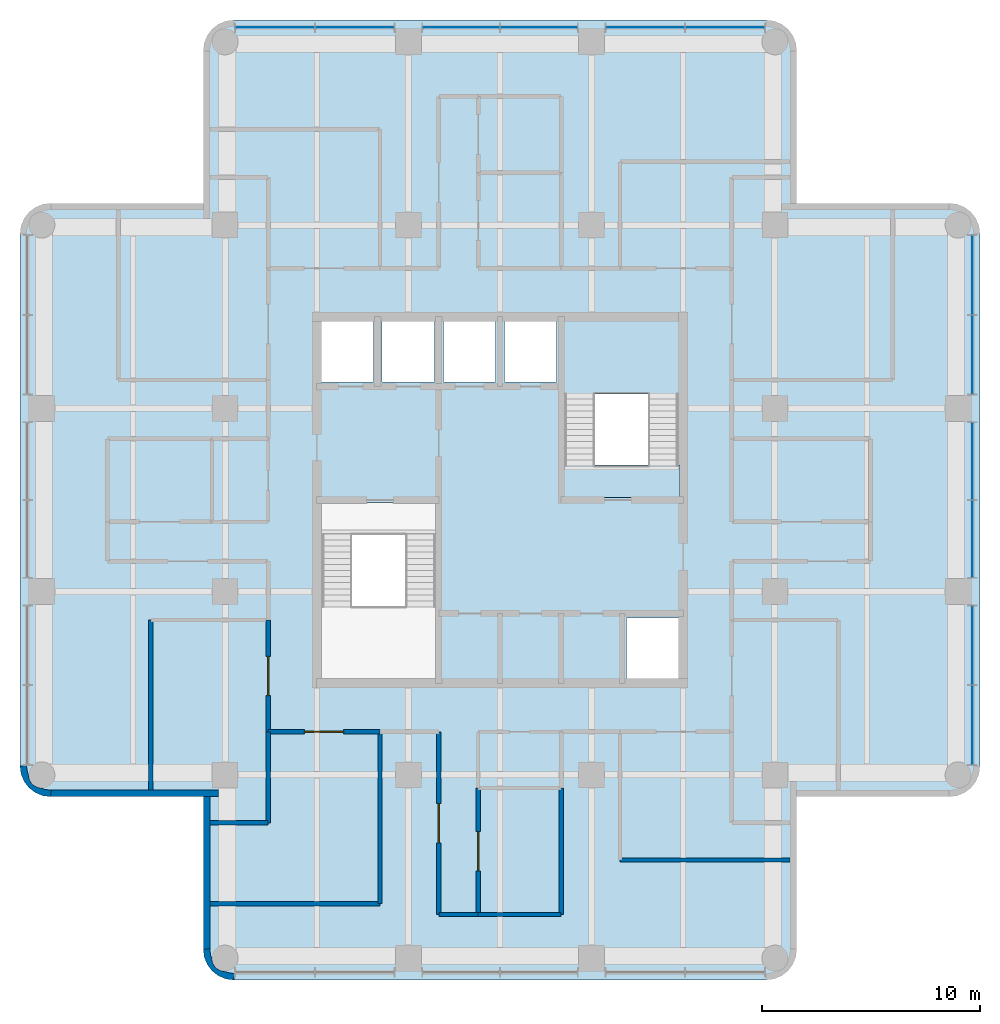
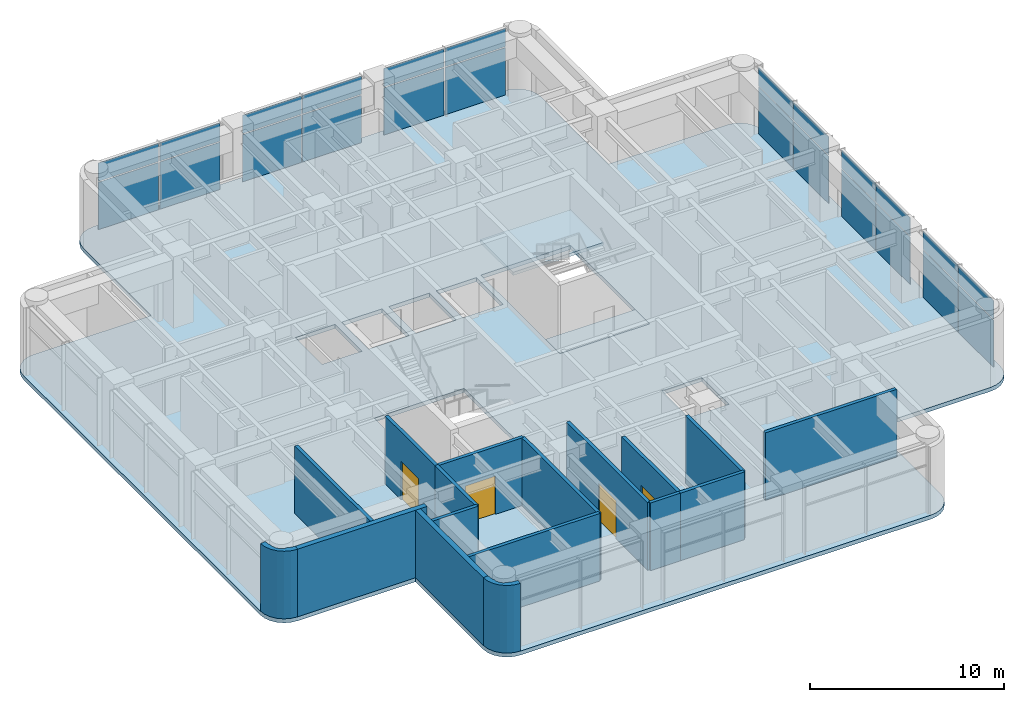
# One storey, part 4 of 8: 24 plates, 17 walls, 4 doors, 3 slabs, 4 openings, 3 elements without a shape of their own.
"""IFC4 building model written with IfcOpenShell, lengths in metres."""

from ifc_helpers import new_model, si_unit, direction, frame, frame_2d, origin, origin_2d, place, context, subcontext, project, spatial, polyline, rectangle, outline, extrude, material, layer, layer_set, type_object, element, fill, aggregate, save


model = new_model("IFC4")

# Units and contexts
model_context = context("Model", 3, precision=1e-05, world=origin(), true_north=direction((0.0, 1.0)))
body_context = subcontext(model_context, "Body", "Model", "MODEL_VIEW")
ifc_project = project(units=[si_unit("LENGTHUNIT", "METRE"), si_unit("AREAUNIT", "SQUARE_METRE"), si_unit("VOLUMEUNIT", "CUBIC_METRE"), si_unit("PLANEANGLEUNIT", "RADIAN"), si_unit("MASSUNIT", "GRAM", prefix="KILO")], contexts=[model_context])

# Site, building, storey
site_placement = place(None, origin())
site = spatial("IfcSite", under=ifc_project, at=site_placement, CompositionType="ELEMENT")
building_placement = place(site_placement, origin())
building = spatial("IfcBuilding", under=site, at=building_placement, Name="Torre Alcanfor", CompositionType="ELEMENT")
storey_placement = place(building_placement, frame((0.0, 0.0, 300.89990234375)))
storey = spatial("IfcBuildingStorey", under=building, at=storey_placement, Name="L79", CompositionType="ELEMENT", Elevation=300.89990234375)

# Curtain wall, plates
ifc_material_1 = material(Name="Aluminium and glass", Category="aluminium")
curtain_wall_type = type_object("IfcCurtainWallType", Name="CW-E crown screen", PredefinedType="NOTDEFINED", material=ifc_material_1)
curtain_wall_1_placement = place(storey_placement, origin())
curtain_wall_1 = element("IfcCurtainWall", 1, at=curtain_wall_1_placement, inside=storey, type_object=curtain_wall_type, Name="Curtain wall CW-E L79 8", PredefinedType="NOTDEFINED")
ifc_material_2 = material(Name="Limestone-colour fritted glass", Category="masonry")
ifc_layer_1 = layer(ifc_material_2, 0.028076171875)
ifc_layer_set_1 = layer_set([ifc_layer_1], Name="CW-E fritted glass panel")
plate_type = type_object("IfcPlateType", Name="CW-E fritted glass panel", PredefinedType="CURTAIN_PANEL", material=ifc_layer_set_1)
plate_1_placement = place(storey_placement, frame((51.050048828125, 19.087890625, 0.0), z_axis=(0.0, 0.0, 1.0), x_axis=(0.0, 1.0, 0.0)))
plate_1 = element("IfcPlate", 2, at=plate_1_placement, type_object=plate_type, Name="CW-E panel 1.1.1", PredefinedType="CURTAIN_PANEL", context=body_context, shape_type="SweptSolid", body=[
    extrude(rectangle(XDim=3.584716796875, YDim=0.028076171875, at=origin_2d()), origin(), (0.0, 0.0, 1.0), 2.967529296875),
])
plate_2_placement = place(storey_placement, frame((51.050048828125, 19.087890625, 3.03271484375), z_axis=(0.0, 0.0, 1.0), x_axis=(0.0, 1.0, 0.0)))
plate_2 = element("IfcPlate", 3, at=plate_2_placement, type_object=plate_type, Name="CW-E panel 1.1.2", PredefinedType="CURTAIN_PANEL", context=body_context, shape_type="SweptSolid", body=[
    extrude(rectangle(XDim=3.584716796875, YDim=0.028076171875, at=origin_2d()), origin(), (0.0, 0.0, 1.0), 1.152587890625),
])
plate_3_placement = place(storey_placement, frame((51.050048828125, 22.737548828125, 0.0), z_axis=(0.0, 0.0, 1.0), x_axis=(0.0, 1.0, 0.0)))
plate_3 = element("IfcPlate", 4, at=plate_3_placement, type_object=plate_type, Name="CW-E panel 1.2.1", PredefinedType="CURTAIN_PANEL", context=body_context, shape_type="SweptSolid", body=[
    extrude(rectangle(XDim=3.584716796875, YDim=0.028076171875, at=origin_2d()), origin(), (0.0, 0.0, 1.0), 2.967529296875),
])
plate_4_placement = place(storey_placement, frame((51.050048828125, 22.737548828125, 3.03271484375), z_axis=(0.0, 0.0, 1.0), x_axis=(0.0, 1.0, 0.0)))
plate_4 = element("IfcPlate", 5, at=plate_4_placement, type_object=plate_type, Name="CW-E panel 1.2.2", PredefinedType="CURTAIN_PANEL", context=body_context, shape_type="SweptSolid", body=[
    extrude(rectangle(XDim=3.584716796875, YDim=0.028076171875, at=origin_2d()), origin(), (0.0, 0.0, 1.0), 1.152587890625),
])
plate_5_placement = place(storey_placement, frame((51.050048828125, 27.61865234375, 0.0), z_axis=(0.0, 0.0, 1.0), x_axis=(0.0, 1.0, 0.0)))
plate_5 = element("IfcPlate", 6, at=plate_5_placement, type_object=plate_type, Name="CW-E panel 2.1.1", PredefinedType="CURTAIN_PANEL", context=body_context, shape_type="SweptSolid", body=[
    extrude(rectangle(XDim=3.49755859375, YDim=0.028076171875, at=origin_2d()), origin(), (0.0, 0.0, 1.0), 2.967529296875),
])
plate_6_placement = place(storey_placement, frame((51.050048828125, 27.61865234375, 3.03271484375), z_axis=(0.0, 0.0, 1.0), x_axis=(0.0, 1.0, 0.0)))
plate_6 = element("IfcPlate", 7, at=plate_6_placement, type_object=plate_type, Name="CW-E panel 2.1.2", PredefinedType="CURTAIN_PANEL", context=body_context, shape_type="SweptSolid", body=[
    extrude(rectangle(XDim=3.49755859375, YDim=0.028076171875, at=origin_2d()), origin(), (0.0, 0.0, 1.0), 1.152587890625),
])
plate_7_placement = place(storey_placement, frame((51.050048828125, 31.18115234375, 0.0), z_axis=(0.0, 0.0, 1.0), x_axis=(0.0, 1.0, 0.0)))
plate_7 = element("IfcPlate", 8, at=plate_7_placement, type_object=plate_type, Name="CW-E panel 2.2.1", PredefinedType="CURTAIN_PANEL", context=body_context, shape_type="SweptSolid", body=[
    extrude(rectangle(XDim=3.49755859375, YDim=0.028076171875, at=origin_2d()), origin(), (0.0, 0.0, 1.0), 2.967529296875),
])
plate_8_placement = place(storey_placement, frame((51.050048828125, 31.18115234375, 3.03271484375), z_axis=(0.0, 0.0, 1.0), x_axis=(0.0, 1.0, 0.0)))
plate_8 = element("IfcPlate", 9, at=plate_8_placement, type_object=plate_type, Name="CW-E panel 2.2.2", PredefinedType="CURTAIN_PANEL", context=body_context, shape_type="SweptSolid", body=[
    extrude(rectangle(XDim=3.49755859375, YDim=0.028076171875, at=origin_2d()), origin(), (0.0, 0.0, 1.0), 1.152587890625),
])
plate_9_placement = place(storey_placement, frame((51.050048828125, 36.062255859375, 0.0), z_axis=(0.0, 0.0, 1.0), x_axis=(0.0, 1.0, 0.0)))
plate_9 = element("IfcPlate", 10, at=plate_9_placement, type_object=plate_type, Name="CW-E panel 3.1.1", PredefinedType="CURTAIN_PANEL", context=body_context, shape_type="SweptSolid", body=[
    extrude(rectangle(XDim=3.584716796875, YDim=0.028076171875, at=origin_2d()), origin(), (0.0, 0.0, 1.0), 2.967529296875),
])
plate_10_placement = place(storey_placement, frame((51.050048828125, 36.062255859375, 3.03271484375), z_axis=(0.0, 0.0, 1.0), x_axis=(0.0, 1.0, 0.0)))
plate_10 = element("IfcPlate", 11, at=plate_10_placement, type_object=plate_type, Name="CW-E panel 3.1.2", PredefinedType="CURTAIN_PANEL", context=body_context, shape_type="SweptSolid", body=[
    extrude(rectangle(XDim=3.584716796875, YDim=0.028076171875, at=origin_2d()), origin(), (0.0, 0.0, 1.0), 1.152587890625),
])
plate_11_placement = place(storey_placement, frame((51.050048828125, 39.712158203125, 0.0), z_axis=(0.0, 0.0, 1.0), x_axis=(0.0, 1.0, 0.0)))
plate_11 = element("IfcPlate", 12, at=plate_11_placement, type_object=plate_type, Name="CW-E panel 3.2.1", PredefinedType="CURTAIN_PANEL", context=body_context, shape_type="SweptSolid", body=[
    extrude(rectangle(XDim=3.584716796875, YDim=0.028076171875, at=origin_2d()), origin(), (0.0, 0.0, 1.0), 2.967529296875),
])
plate_12_placement = place(storey_placement, frame((51.050048828125, 39.712158203125, 3.03271484375), z_axis=(0.0, 0.0, 1.0), x_axis=(0.0, 1.0, 0.0)))
plate_12 = element("IfcPlate", 13, at=plate_12_placement, type_object=plate_type, Name="CW-E panel 3.2.2", PredefinedType="CURTAIN_PANEL", context=body_context, shape_type="SweptSolid", body=[
    extrude(rectangle(XDim=3.584716796875, YDim=0.028076171875, at=origin_2d()), origin(), (0.0, 0.0, 1.0), 1.152587890625),
])
aggregate(curtain_wall_1, [plate_1, plate_2, plate_3, plate_4, plate_5, plate_6, plate_7, plate_8, plate_9, plate_10, plate_11, plate_12])

curtain_wall_2_placement = place(storey_placement, origin())
curtain_wall_2 = element("IfcCurtainWall", 14, at=curtain_wall_2_placement, inside=storey, type_object=curtain_wall_type, Name="Curtain wall CW-E L79 11", PredefinedType="NOTDEFINED")
plate_13_placement = place(storey_placement, frame((39.712158203125, 51.050048828125, 0.0), z_axis=(0.0, 0.0, 1.0), x_axis=(-1.0, 0.0, 0.0)))
plate_13 = element("IfcPlate", 15, at=plate_13_placement, type_object=plate_type, Name="CW-E panel 1.1.1", PredefinedType="CURTAIN_PANEL", context=body_context, shape_type="SweptSolid", body=[
    extrude(rectangle(XDim=3.584716796875, YDim=0.028076171875, at=origin_2d()), origin(), (0.0, 0.0, 1.0), 2.967529296875),
])
plate_14_placement = place(storey_placement, frame((39.712158203125, 51.050048828125, 3.03271484375), z_axis=(0.0, 0.0, 1.0), x_axis=(-1.0, 0.0, 0.0)))
plate_14 = element("IfcPlate", 16, at=plate_14_placement, type_object=plate_type, Name="CW-E panel 1.1.2", PredefinedType="CURTAIN_PANEL", context=body_context, shape_type="SweptSolid", body=[
    extrude(rectangle(XDim=3.584716796875, YDim=0.028076171875, at=origin_2d()), origin(), (0.0, 0.0, 1.0), 1.152587890625),
])
plate_15_placement = place(storey_placement, frame((36.062255859375, 51.050048828125, 0.0), z_axis=(0.0, 0.0, 1.0), x_axis=(-1.0, 0.0, 0.0)))
plate_15 = element("IfcPlate", 17, at=plate_15_placement, type_object=plate_type, Name="CW-E panel 1.2.1", PredefinedType="CURTAIN_PANEL", context=body_context, shape_type="SweptSolid", body=[
    extrude(rectangle(XDim=3.584716796875, YDim=0.028076171875, at=origin_2d()), origin(), (0.0, 0.0, 1.0), 2.967529296875),
])
plate_16_placement = place(storey_placement, frame((36.062255859375, 51.050048828125, 3.03271484375), z_axis=(0.0, 0.0, 1.0), x_axis=(-1.0, 0.0, 0.0)))
plate_16 = element("IfcPlate", 18, at=plate_16_placement, type_object=plate_type, Name="CW-E panel 1.2.2", PredefinedType="CURTAIN_PANEL", context=body_context, shape_type="SweptSolid", body=[
    extrude(rectangle(XDim=3.584716796875, YDim=0.028076171875, at=origin_2d()), origin(), (0.0, 0.0, 1.0), 1.152587890625),
])
plate_17_placement = place(storey_placement, frame((31.18115234375, 51.050048828125, 0.0), z_axis=(0.0, 0.0, 1.0), x_axis=(-1.0, 0.0, 0.0)))
plate_17 = element("IfcPlate", 19, at=plate_17_placement, type_object=plate_type, Name="CW-E panel 2.1.1", PredefinedType="CURTAIN_PANEL", context=body_context, shape_type="SweptSolid", body=[
    extrude(rectangle(XDim=3.49755859375, YDim=0.028076171875, at=origin_2d()), origin(), (0.0, 0.0, 1.0), 2.967529296875),
])
plate_18_placement = place(storey_placement, frame((31.18115234375, 51.050048828125, 3.03271484375), z_axis=(0.0, 0.0, 1.0), x_axis=(-1.0, 0.0, 0.0)))
plate_18 = element("IfcPlate", 20, at=plate_18_placement, type_object=plate_type, Name="CW-E panel 2.1.2", PredefinedType="CURTAIN_PANEL", context=body_context, shape_type="SweptSolid", body=[
    extrude(rectangle(XDim=3.49755859375, YDim=0.028076171875, at=origin_2d()), origin(), (0.0, 0.0, 1.0), 1.152587890625),
])
plate_19_placement = place(storey_placement, frame((27.61865234375, 51.050048828125, 0.0), z_axis=(0.0, 0.0, 1.0), x_axis=(-1.0, 0.0, 0.0)))
plate_19 = element("IfcPlate", 21, at=plate_19_placement, type_object=plate_type, Name="CW-E panel 2.2.1", PredefinedType="CURTAIN_PANEL", context=body_context, shape_type="SweptSolid", body=[
    extrude(rectangle(XDim=3.49755859375, YDim=0.028076171875, at=origin_2d()), origin(), (0.0, 0.0, 1.0), 2.967529296875),
])
plate_20_placement = place(storey_placement, frame((27.61865234375, 51.050048828125, 3.03271484375), z_axis=(0.0, 0.0, 1.0), x_axis=(-1.0, 0.0, 0.0)))
plate_20 = element("IfcPlate", 22, at=plate_20_placement, type_object=plate_type, Name="CW-E panel 2.2.2", PredefinedType="CURTAIN_PANEL", context=body_context, shape_type="SweptSolid", body=[
    extrude(rectangle(XDim=3.49755859375, YDim=0.028076171875, at=origin_2d()), origin(), (0.0, 0.0, 1.0), 1.152587890625),
])
plate_21_placement = place(storey_placement, frame((22.737548828125, 51.050048828125, 0.0), z_axis=(0.0, 0.0, 1.0), x_axis=(-1.0, 0.0, 0.0)))
plate_21 = element("IfcPlate", 23, at=plate_21_placement, type_object=plate_type, Name="CW-E panel 3.1.1", PredefinedType="CURTAIN_PANEL", context=body_context, shape_type="SweptSolid", body=[
    extrude(rectangle(XDim=3.584716796875, YDim=0.028076171875, at=origin_2d()), origin(), (0.0, 0.0, 1.0), 2.967529296875),
])
plate_22_placement = place(storey_placement, frame((22.737548828125, 51.050048828125, 3.03271484375), z_axis=(0.0, 0.0, 1.0), x_axis=(-1.0, 0.0, 0.0)))
plate_22 = element("IfcPlate", 24, at=plate_22_placement, type_object=plate_type, Name="CW-E panel 3.1.2", PredefinedType="CURTAIN_PANEL", context=body_context, shape_type="SweptSolid", body=[
    extrude(rectangle(XDim=3.584716796875, YDim=0.028076171875, at=origin_2d()), origin(), (0.0, 0.0, 1.0), 1.152587890625),
])
plate_23_placement = place(storey_placement, frame((19.087890625, 51.050048828125, 0.0), z_axis=(0.0, 0.0, 1.0), x_axis=(-1.0, 0.0, 0.0)))
plate_23 = element("IfcPlate", 25, at=plate_23_placement, type_object=plate_type, Name="CW-E panel 3.2.1", PredefinedType="CURTAIN_PANEL", context=body_context, shape_type="SweptSolid", body=[
    extrude(rectangle(XDim=3.584716796875, YDim=0.028076171875, at=origin_2d()), origin(), (0.0, 0.0, 1.0), 2.967529296875),
])
plate_24_placement = place(storey_placement, frame((19.087890625, 51.050048828125, 3.03271484375), z_axis=(0.0, 0.0, 1.0), x_axis=(-1.0, 0.0, 0.0)))
plate_24 = element("IfcPlate", 26, at=plate_24_placement, type_object=plate_type, Name="CW-E panel 3.2.2", PredefinedType="CURTAIN_PANEL", context=body_context, shape_type="SweptSolid", body=[
    extrude(rectangle(XDim=3.584716796875, YDim=0.028076171875, at=origin_2d()), origin(), (0.0, 0.0, 1.0), 1.152587890625),
])
aggregate(curtain_wall_2, [plate_13, plate_14, plate_15, plate_16, plate_17, plate_18, plate_19, plate_20, plate_21, plate_22, plate_23, plate_24])

# Slab
ifc_material_3 = material(Name="Concrete f'c 35 MPa", Category="concrete")
ifc_layer_2 = layer(ifc_material_3, 0.25)
ifc_layer_set_2 = layer_set([ifc_layer_2], Name="Floor slab 250")
slab_type_1 = type_object("IfcSlabType", Name="Floor slab 250", PredefinedType="FLOOR", material=ifc_layer_set_2)
slab_1_placement = place(storey_placement, frame((0.0, 0.0, -0.25)))
element("IfcSlab", 27, at=slab_1_placement, inside=storey, type_object=slab_type_1, Name="Floor slab L79", PredefinedType="FLOOR", context=body_context, shape_type="SweptSolid", body=[
    extrude(outline(polyline([(15.800048828125, 43.0), (8.800048828125, 43.0), (8.437744140625, 42.952392578125), (8.10009765625, 42.8125), (7.81005859375, 42.58984375), (7.587646484375, 42.300048828125), (7.44775390625, 41.96240234375), (7.39990234375, 41.60009765625), (7.39990234375, 17.199951171875), (7.44775390625, 16.837646484375), (7.587646484375, 16.5), (7.81005859375, 16.210205078125), (8.10009765625, 15.987548828125), (8.437744140625, 15.84765625), (8.800048828125, 15.800048828125), (15.800048828125, 15.800048828125), (15.800048828125, 8.800048828125), (15.84765625, 8.437744140625), (15.987548828125, 8.10009765625), (16.210205078125, 7.81005859375), (16.5, 7.587646484375), (16.837646484375, 7.44775390625), (17.199951171875, 7.39990234375), (41.60009765625, 7.39990234375), (41.96240234375, 7.44775390625), (42.300048828125, 7.587646484375), (42.58984375, 7.81005859375), (42.8125, 8.10009765625), (42.952392578125, 8.437744140625), (43.0, 8.800048828125), (43.0, 15.800048828125), (50.0, 15.800048828125), (50.3623046875, 15.84765625), (50.699951171875, 15.987548828125), (50.989990234375, 16.210205078125), (51.21240234375, 16.5), (51.352294921875, 16.837646484375), (51.39990234375, 17.199951171875), (51.39990234375, 41.60009765625), (51.352294921875, 41.96240234375), (51.21240234375, 42.300048828125), (50.989990234375, 42.58984375), (50.699951171875, 42.8125), (50.3623046875, 42.952392578125), (50.0, 43.0), (43.0, 43.0), (43.0, 50.0), (42.952392578125, 50.3623046875), (42.8125, 50.699951171875), (42.58984375, 50.989990234375), (42.300048828125, 51.21240234375), (41.96240234375, 51.352294921875), (41.60009765625, 51.39990234375), (17.199951171875, 51.39990234375), (16.837646484375, 51.352294921875), (16.5, 51.21240234375), (16.210205078125, 50.989990234375), (15.987548828125, 50.699951171875), (15.84765625, 50.3623046875), (15.800048828125, 50.0), (15.800048828125, 43.0)]), holes=[polyline([(21.14501953125, 21.14501953125), (26.47998046875, 21.14501953125), (26.47998046875, 29.280029296875), (21.14501953125, 29.280029296875), (21.14501953125, 21.14501953125)]), polyline([(32.320068359375, 29.52001953125), (37.655029296875, 29.52001953125), (37.655029296875, 37.655029296875), (32.320068359375, 37.655029296875), (32.320068359375, 29.52001953125)]), polyline([(35.199951171875, 21.22509765625), (37.574951171875, 21.22509765625), (37.574951171875, 24.0), (35.199951171875, 24.0), (35.199951171875, 21.22509765625)]), polyline([(21.22509765625, 34.800048828125), (23.60009765625, 34.800048828125), (23.60009765625, 37.574951171875), (21.22509765625, 37.574951171875), (21.22509765625, 34.800048828125)]), polyline([(24.0, 34.800048828125), (26.39990234375, 34.800048828125), (26.39990234375, 37.574951171875), (24.0, 37.574951171875), (24.0, 34.800048828125)]), polyline([(26.800048828125, 34.800048828125), (29.199951171875, 34.800048828125), (29.199951171875, 37.574951171875), (26.800048828125, 37.574951171875), (26.800048828125, 34.800048828125)]), polyline([(29.60009765625, 34.800048828125), (32.0, 34.800048828125), (32.0, 37.574951171875), (29.60009765625, 37.574951171875), (29.60009765625, 34.800048828125)])]), origin(), (0.0, 0.0, 1.0), 0.25),
])

# Stair, slabs
ifc_material_4 = material(Name="Concrete f'c 35 MPa", Category="concrete")
stair_type = type_object("IfcStairType", Name="Exit stair S2 1400 wide", PredefinedType="HALF_TURN_STAIR", material=ifc_material_4)
stair_placement = place(storey_placement, origin())
stair = element("IfcStair", 28, at=stair_placement, inside=storey, type_object=stair_type, Name="Stair S2 L79 to L80", PredefinedType="HALF_TURN_STAIR")
ifc_material_5 = material(Name="Concrete f'c 35 MPa", Category="concrete")
ifc_layer_3 = layer(ifc_material_5, 0.199951171875)
ifc_layer_set_3 = layer_set([ifc_layer_3], Name="Stair landing 200")
slab_type_2 = type_object("IfcSlabType", Name="Stair landing 200", PredefinedType="LANDING", material=ifc_layer_set_3)
slab_2_placement = place(storey_placement, frame((0.0, 0.0, -0.199951171875)))
slab_2 = element("IfcSlab", 29, at=slab_2_placement, type_object=slab_type_2, Name="S2 landing 1", PredefinedType="LANDING", context=body_context, shape_type="SweptSolid", body=[
    extrude(outline(polyline([(32.320068359375, 29.52001953125), (37.655029296875, 29.52001953125), (37.655029296875, 31.0), (32.320068359375, 31.0), (32.320068359375, 29.52001953125)])), origin(), (0.0, 0.0, 1.0), 0.199951171875),
])
slab_3_placement = place(storey_placement, frame((0.0, 0.0, 2.050048828125)))
slab_3 = element("IfcSlab", 30, at=slab_3_placement, type_object=slab_type_2, Name="S2 landing 2", PredefinedType="LANDING", context=body_context, shape_type="SweptSolid", body=[
    extrude(outline(polyline([(32.27001953125, 34.260009765625), (37.655029296875, 34.260009765625), (37.655029296875, 37.655029296875), (32.27001953125, 37.655029296875), (32.27001953125, 34.260009765625)])), origin(), (0.0, 0.0, 1.0), 0.199951171875),
])
aggregate(stair, [slab_2, slab_3])

# Walls
ifc_material_6 = material(Name="Limestone cladding", Category="masonry")
ifc_layer_4 = layer(ifc_material_6, 0.0400390625, Name="Facing")
ifc_material_7 = material(Name="Ventilated air cavity")
ifc_layer_5 = layer(ifc_material_7, 0.02001953125, ventilated=True, Name="Ventilated joint")
ifc_material_8 = material(Name="Mineral wool insulation", Category="insulation")
ifc_layer_6 = layer(ifc_material_8, 0.10009765625, Name="Insulation")
ifc_material_9 = material(Name="Concrete f'c 35 MPa", Category="concrete")
ifc_layer_7 = layer(ifc_material_9, 0.139892578125, Name="Backing")
ifc_layer_set_4 = layer_set([ifc_layer_4, ifc_layer_5, ifc_layer_6, ifc_layer_7], Name="External wall stone-clad 300")
wall_type_1 = type_object("IfcWallType", Name="External wall stone-clad 300", PredefinedType="SOLIDWALL", material=ifc_layer_set_4)
wall_1_placement = place(storey_placement, frame((8.800048828125, 15.949951171875, 0.0), z_axis=(0.0, 0.0, 1.0), x_axis=(1.0, 0.0, 0.0)))
element("IfcWall", 31, at=wall_1_placement, inside=storey, type_object=wall_type_1, Name="External wall L79 3", PredefinedType="SOLIDWALL", context=body_context, shape_type="SweptSolid", body=[
    extrude(rectangle(XDim=7.699951171875, YDim=0.300048828125, at=frame_2d((3.85009765625, 0.0))), origin(), (0.0, 0.0, 1.0), 4.25),
])
wall_2_placement = place(storey_placement, frame((15.949951171875, 15.800048828125, 0.0), z_axis=(0.0, 0.0, 1.0), x_axis=(0.0, -1.0, 0.0)))
element("IfcWall", 32, at=wall_2_placement, inside=storey, type_object=wall_type_1, Name="External wall L79 4", PredefinedType="SOLIDWALL", context=body_context, shape_type="SweptSolid", body=[
    extrude(rectangle(XDim=7.0, YDim=0.300048828125, at=frame_2d((3.5, 0.0))), origin(), (0.0, 0.0, 1.0), 4.25),
])

# Wall, opening, door
ifc_material_10 = material(Name="Concrete block masonry, hollow blocks NMX-C-404 9 MPa", Category="masonry")
ifc_layer_8 = layer(ifc_material_10, 0.199951171875)
ifc_layer_set_5 = layer_set([ifc_layer_8], Name="Plant room wall 200 EI 60")
wall_type_2 = type_object("IfcWallType", Name="Plant room wall 200 EI 60", PredefinedType="PARTITIONING", material=ifc_layer_set_5)
wall_3_placement = place(storey_placement, frame((23.89990234375, 18.77490234375, 0.0), z_axis=(0.0, 0.0, 1.0), x_axis=(-1.0, 0.0, 0.0)))
wall_3 = element("IfcWall", 33, at=wall_3_placement, inside=storey, type_object=wall_type_2, Name="Partition L79-CORR / L79-S1", PredefinedType="PARTITIONING", context=body_context, shape_type="SweptSolid", body=[
    extrude(rectangle(XDim=5.125, YDim=0.199951171875, at=frame_2d((2.5625, 0.0))), origin(), (0.0, 0.0, 1.0), 4.25),
])
opening_1_placement = place(wall_3_placement, frame((1.66259765625, 0.0, 0.0)))
opening_1 = element("IfcOpeningElement", 34, at=opening_1_placement, cuts=wall_3, Name="Opening D-P1", PredefinedType="OPENING", context=body_context, shape_type="SweptSolid", body=[
    extrude(rectangle(XDim=1.800048828125, YDim=2.39990234375, at=frame_2d((0.89990234375, 1.199951171875))), frame((0.0, 0.10986328125, 0.0), z_axis=(0.0, -1.0, 0.0), x_axis=(1.0, 0.0, 0.0)), (0.0, 0.0, 1.0), 0.219970703125),
])
ifc_material_11 = material(Name="Galvanised steel sheet ASTM A653", Category="steel")
door_type = type_object("IfcDoorType", Name="Plant room door FD60 1800x2400", OperationType="DOUBLE_DOOR_SINGLE_SWING", PredefinedType="DOOR", material=ifc_material_11)
door_1_placement = place(opening_1_placement, origin())
door_1 = element("IfcDoor", 35, at=door_1_placement, inside=storey, type_object=door_type, Name="Door L79-S1 chilled water expansion and pressurisation room", OperationType="DOUBLE_DOOR_SINGLE_SWING", OverallHeight=2.39990234375, OverallWidth=1.800048828125, PredefinedType="DOOR", context=body_context, shape_type="SweptSolid", body=[
    extrude(rectangle(XDim=1.800048828125, YDim=2.39990234375, at=frame_2d((0.89990234375, 1.199951171875))), frame((0.0, 0.02490234375, 0.0), z_axis=(0.0, -1.0, 0.0), x_axis=(1.0, 0.0, 0.0)), (0.0, 0.0, 1.0), 0.050048828125),
])
fill(opening_1, door_1)

wall_4_placement = place(storey_placement, frame((18.77490234375, 18.77490234375, 0.0), z_axis=(0.0, 0.0, 1.0), x_axis=(0.0, 1.0, 0.0)))
wall_4 = element("IfcWall", 36, at=wall_4_placement, inside=storey, type_object=wall_type_2, Name="Partition L79-CORR / L79-W1", PredefinedType="PARTITIONING", context=body_context, shape_type="SweptSolid", body=[
    extrude(rectangle(XDim=5.125, YDim=0.199951171875, at=frame_2d((2.5625, 0.0))), origin(), (0.0, 0.0, 1.0), 4.25),
])
opening_2_placement = place(wall_4_placement, frame((1.66259765625, 0.0, 0.0)))
opening_2 = element("IfcOpeningElement", 37, at=opening_2_placement, cuts=wall_4, Name="Opening D-P1", PredefinedType="OPENING", context=body_context, shape_type="SweptSolid", body=[
    extrude(rectangle(XDim=1.800048828125, YDim=2.39990234375, at=frame_2d((0.89990234375, 1.199951171875))), frame((0.0, 0.10986328125, 0.0), z_axis=(0.0, -1.0, 0.0), x_axis=(1.0, 0.0, 0.0)), (0.0, 0.0, 1.0), 0.219970703125),
])
door_2_placement = place(opening_2_placement, origin())
door_2 = element("IfcDoor", 38, at=door_2_placement, inside=storey, type_object=door_type, Name="Door L79-W1 electrical riser room", OperationType="DOUBLE_DOOR_SINGLE_SWING", OverallHeight=2.39990234375, OverallWidth=1.800048828125, PredefinedType="DOOR", context=body_context, shape_type="SweptSolid", body=[
    extrude(rectangle(XDim=1.800048828125, YDim=2.39990234375, at=frame_2d((0.89990234375, 1.199951171875))), frame((0.0, 0.02490234375, 0.0), z_axis=(0.0, -1.0, 0.0), x_axis=(1.0, 0.0, 0.0)), (0.0, 0.0, 1.0), 0.050048828125),
])
fill(opening_2, door_2)

# Walls
wall_5_placement = place(storey_placement, frame((23.89990234375, 18.77490234375, 0.0), z_axis=(0.0, 0.0, 1.0), x_axis=(0.0, -1.0, 0.0)))
element("IfcWall", 39, at=wall_5_placement, inside=storey, type_object=wall_type_2, Name="Partition L79-S1 / L79-SH", PredefinedType="PARTITIONING", context=body_context, shape_type="SweptSolid", body=[
    extrude(rectangle(XDim=7.875, YDim=0.199951171875, at=frame_2d((3.9375, 0.0))), origin(), (0.0, 0.0, 1.0), 4.25),
])
wall_6_placement = place(storey_placement, frame((23.89990234375, 10.89990234375, 0.0), z_axis=(0.0, 0.0, 1.0), x_axis=(-1.0, 0.0, 0.0)))
element("IfcWall", 40, at=wall_6_placement, inside=storey, type_object=wall_type_2, Name="Partition L79-S1 / L79-SH", PredefinedType="PARTITIONING", context=body_context, shape_type="SweptSolid", body=[
    extrude(rectangle(XDim=7.7998046875, YDim=0.199951171875, at=frame_2d((3.89990234375, 0.0))), origin(), (0.0, 0.0, 1.0), 4.25),
])
wall_7_placement = place(storey_placement, frame((16.10009765625, 14.60009765625, 0.0), z_axis=(0.0, 0.0, 1.0), x_axis=(1.0, 0.0, 0.0)))
element("IfcWall", 41, at=wall_7_placement, inside=storey, type_object=wall_type_2, Name="Partition L79-S1 / L79-W1", PredefinedType="PARTITIONING", context=body_context, shape_type="SweptSolid", body=[
    extrude(rectangle(XDim=2.6748046875, YDim=0.199951171875, at=frame_2d((1.33740234375, 0.0))), origin(), (0.0, 0.0, 1.0), 4.25),
])
wall_8_placement = place(storey_placement, frame((18.77490234375, 14.60009765625, 0.0), z_axis=(0.0, 0.0, 1.0), x_axis=(0.0, 1.0, 0.0)))
element("IfcWall", 42, at=wall_8_placement, inside=storey, type_object=wall_type_2, Name="Partition L79-S1 / L79-W1", PredefinedType="PARTITIONING", context=body_context, shape_type="SweptSolid", body=[
    extrude(rectangle(XDim=4.1748046875, YDim=0.199951171875, at=frame_2d((2.08740234375, 0.0))), origin(), (0.0, 0.0, 1.0), 4.25),
])
wall_9_placement = place(storey_placement, frame((42.699951171875, 12.89990234375, 0.0), z_axis=(0.0, 0.0, 1.0), x_axis=(-1.0, 0.0, 0.0)))
element("IfcWall", 43, at=wall_9_placement, inside=storey, type_object=wall_type_2, Name="Partition L79-S2 / L79-SH", PredefinedType="PARTITIONING", context=body_context, shape_type="SweptSolid", body=[
    extrude(rectangle(XDim=7.800048828125, YDim=0.199951171875, at=frame_2d((3.89990234375, 0.0))), origin(), (0.0, 0.0, 1.0), 4.25),
])

# Wall, opening, door
wall_10_placement = place(storey_placement, frame((28.39990234375, 16.199951171875, 0.0), z_axis=(0.0, 0.0, 1.0), x_axis=(0.0, -1.0, 0.0)))
wall_10 = element("IfcWall", 44, at=wall_10_placement, inside=storey, type_object=wall_type_2, Name="Partition L79-SC / L79-S4", PredefinedType="PARTITIONING", context=body_context, shape_type="SweptSolid", body=[
    extrude(rectangle(XDim=5.800048828125, YDim=0.199951171875, at=frame_2d((2.89990234375, 0.0))), origin(), (0.0, 0.0, 1.0), 4.25),
])
opening_3_placement = place(wall_10_placement, frame((2.0, 0.0, 0.0)))
opening_3 = element("IfcOpeningElement", 45, at=opening_3_placement, cuts=wall_10, Name="Opening D-P1", PredefinedType="OPENING", context=body_context, shape_type="SweptSolid", body=[
    extrude(rectangle(XDim=1.800048828125, YDim=2.39990234375, at=frame_2d((0.89990234375, 1.199951171875))), frame((0.0, 0.10986328125, 0.0), z_axis=(0.0, -1.0, 0.0), x_axis=(1.0, 0.0, 0.0)), (0.0, 0.0, 1.0), 0.219970703125),
])
door_3_placement = place(opening_3_placement, origin())
door_3 = element("IfcDoor", 46, at=door_3_placement, inside=storey, type_object=door_type, Name="Door L79-S4 plant store", OperationType="DOUBLE_DOOR_SINGLE_SWING", OverallHeight=2.39990234375, OverallWidth=1.800048828125, PredefinedType="DOOR", context=body_context, shape_type="SweptSolid", body=[
    extrude(rectangle(XDim=1.800048828125, YDim=2.39990234375, at=frame_2d((0.89990234375, 1.199951171875))), frame((0.0, 0.02490234375, 0.0), z_axis=(0.0, -1.0, 0.0), x_axis=(1.0, 0.0, 0.0)), (0.0, 0.0, 1.0), 0.050048828125),
])
fill(opening_3, door_3)

# Wall
wall_11_placement = place(storey_placement, frame((28.39990234375, 10.39990234375, 0.0), z_axis=(0.0, 0.0, 1.0), x_axis=(-1.0, 0.0, 0.0)))
element("IfcWall", 47, at=wall_11_placement, inside=storey, type_object=wall_type_2, Name="Partition L79-SC / L79-SH", PredefinedType="PARTITIONING", context=body_context, shape_type="SweptSolid", body=[
    extrude(rectangle(XDim=1.7998046875, YDim=0.199951171875, at=frame_2d((0.89990234375, 0.0))), origin(), (0.0, 0.0, 1.0), 4.25),
])

# Wall, opening, door
wall_12_placement = place(storey_placement, frame((26.60009765625, 10.39990234375, 0.0), z_axis=(0.0, 0.0, 1.0), x_axis=(0.0, 1.0, 0.0)))
wall_12 = element("IfcWall", 48, at=wall_12_placement, inside=storey, type_object=wall_type_2, Name="Partition L79-SC / L79-SH", PredefinedType="PARTITIONING", context=body_context, shape_type="SweptSolid", body=[
    extrude(rectangle(XDim=8.375, YDim=0.199951171875, at=frame_2d((4.1875, 0.0))), origin(), (0.0, 0.0, 1.0), 4.25),
])
opening_4_placement = place(wall_12_placement, frame((3.28759765625, 0.0, 0.0)))
opening_4 = element("IfcOpeningElement", 49, at=opening_4_placement, cuts=wall_12, Name="Opening D-P1", PredefinedType="OPENING", context=body_context, shape_type="SweptSolid", body=[
    extrude(rectangle(XDim=1.800048828125, YDim=2.39990234375, at=frame_2d((0.89990234375, 1.199951171875))), frame((0.0, 0.10986328125, 0.0), z_axis=(0.0, -1.0, 0.0), x_axis=(1.0, 0.0, 0.0)), (0.0, 0.0, 1.0), 0.219970703125),
])
door_4_placement = place(opening_4_placement, origin())
door_4 = element("IfcDoor", 50, at=door_4_placement, inside=storey, type_object=door_type, Name="Door L79-SH chiller plant room", OperationType="DOUBLE_DOOR_SINGLE_SWING", OverallHeight=2.39990234375, OverallWidth=1.800048828125, PredefinedType="DOOR", context=body_context, shape_type="SweptSolid", body=[
    extrude(rectangle(XDim=1.800048828125, YDim=2.39990234375, at=frame_2d((0.89990234375, 1.199951171875))), frame((0.0, 0.02490234375, 0.0), z_axis=(0.0, -1.0, 0.0), x_axis=(1.0, 0.0, 0.0)), (0.0, 0.0, 1.0), 0.050048828125),
])
fill(opening_4, door_4)

# Walls
wall_13_placement = place(storey_placement, frame((32.199951171875, 16.199951171875, 0.0), z_axis=(0.0, 0.0, 1.0), x_axis=(0.0, -1.0, 0.0)))
element("IfcWall", 51, at=wall_13_placement, inside=storey, type_object=wall_type_2, Name="Partition L79-S4 / L79-SH", PredefinedType="PARTITIONING", context=body_context, shape_type="SweptSolid", body=[
    extrude(rectangle(XDim=5.800048828125, YDim=0.199951171875, at=frame_2d((2.89990234375, 0.0))), origin(), (0.0, 0.0, 1.0), 4.25),
])
wall_14_placement = place(storey_placement, frame((32.199951171875, 10.39990234375, 0.0), z_axis=(0.0, 0.0, 1.0), x_axis=(-1.0, 0.0, 0.0)))
element("IfcWall", 52, at=wall_14_placement, inside=storey, type_object=wall_type_2, Name="Partition L79-S4 / L79-SH", PredefinedType="PARTITIONING", context=body_context, shape_type="SweptSolid", body=[
    extrude(rectangle(XDim=3.800048828125, YDim=0.199951171875, at=frame_2d((1.89990234375, 0.0))), origin(), (0.0, 0.0, 1.0), 4.25),
])
wall_15_placement = place(storey_placement, frame((13.39990234375, 16.10009765625, 0.0), z_axis=(0.0, 0.0, 1.0), x_axis=(0.0, 1.0, 0.0)))
element("IfcWall", 53, at=wall_15_placement, inside=storey, type_object=wall_type_2, Name="Partition L79-W1 / L79-WH", PredefinedType="PARTITIONING", context=body_context, shape_type="SweptSolid", body=[
    extrude(rectangle(XDim=7.7998046875, YDim=0.199951171875, at=frame_2d((3.89990234375, 0.0))), origin(), (0.0, 0.0, 1.0), 4.25),
])
ifc_layer_9 = layer(ifc_material_6, 0.0400390625, Name="Facing")
ifc_layer_10 = layer(ifc_material_7, 0.02001953125, ventilated=True, Name="Ventilated joint")
ifc_layer_11 = layer(ifc_material_8, 0.10009765625, Name="Insulation")
ifc_layer_12 = layer(ifc_material_9, 0.139892578125, Name="Backing")
ifc_layer_set_6 = layer_set([ifc_layer_9, ifc_layer_10, ifc_layer_11, ifc_layer_12], Name="Rounded corner pier stone-clad 300")
wall_type_3 = type_object("IfcWallType", Name="Rounded corner pier stone-clad 300", PredefinedType="SOLIDWALL", material=ifc_layer_set_6)
wall_16_placement = place(storey_placement, frame((7.824101883, 17.161581746, 0.0), z_axis=(0.0, 0.0, 1.0), x_axis=(-0.707106781187, -0.707106781187, 0.0)))
element("IfcWall", 54, at=wall_16_placement, inside=storey, type_object=wall_type_3, Name="Corner pier L79 14", PredefinedType="SOLIDWALL", context=body_context, shape_type="SweptSolid", body=[
    extrude(outline(polyline([(0.04667321568762184, 1.4544919802800873), (0.23311738650829356, 1.2117692912302127), (0.29215804060150635, 1.069174027250699), (0.3579314008632433, 1.0034006669889621), (0.4494271513585729, 0.7824297978681659), (0.4494271513585729, 0.5431597786483039), (0.35793140086324327, 0.322534176510509), (0.2921580406015063, 0.256760816248772), (0.23311738650829356, 0.11416555226925829), (0.046673215687621845, -0.12890240376361745), (0.032689902876071465, -0.14288571657516783), (0.2728230895534366, -0.32708565200633144), (0.4951750266062377, -0.037061386285286546), (0.6350081547217414, 0.30060972308993), (0.6826549983759133, 0.6627947882582349), (0.6350081547217414, 1.025325120409541), (0.49517502660623774, 1.3629962297847575), (0.27265045606193605, 1.652847862014302), (0.03251726938457078, 1.4686479265831383), (0.04667321568762184, 1.4544919802800873)])), origin(), (0.0, 0.0, 1.0), 4.25),
])
wall_17_placement = place(storey_placement, frame((16.224101883, 8.761581746, 0.0), z_axis=(0.0, 0.0, 1.0), x_axis=(-0.707106781187, -0.707106781187, 0.0)))
element("IfcWall", 55, at=wall_17_placement, inside=storey, type_object=wall_type_3, Name="Corner pier L79 15", PredefinedType="SOLIDWALL", context=body_context, shape_type="SweptSolid", body=[
    extrude(outline(polyline([(0.032689902876070875, 1.4686824532814384), (0.04667321568762128, 1.4546991404698881), (0.233117386508293, 1.2116311844370125), (0.29215804060150563, 1.0690359204574986), (0.3579314008632426, 1.0032625601957617), (0.44942715135857225, 0.7826369580579667), (0.44942715135857225, 0.5433669388381047), (0.3579314008632426, 0.3223960697173086), (0.29215804060150563, 0.25662270945557164), (0.23311738650829295, 0.11402744547605792), (0.04667321568762121, -0.12869524357381656), (0.03251726938457021, -0.14285118987686757), (0.27265045606193533, -0.3270511253080312), (0.49517502660623713, -0.03719949307848694), (0.6350081547217409, 0.3004716162967297), (0.6826549983759126, 0.6630019484480357), (0.6350081547217409, 1.0251870136163408), (0.495175026606237, 1.362858122991557), (0.27282308955343604, 1.652882388712602), (0.032689902876070875, 1.4686824532814384)])), origin(), (0.0, 0.0, 1.0), 4.25),
])

save(model, "model.ifc")
